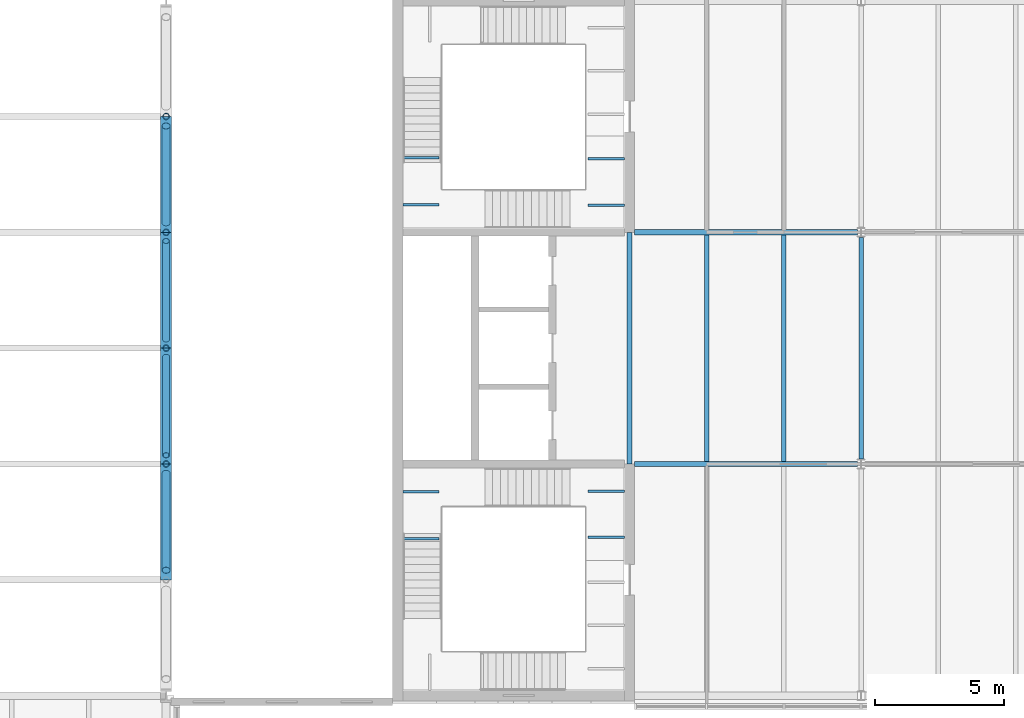
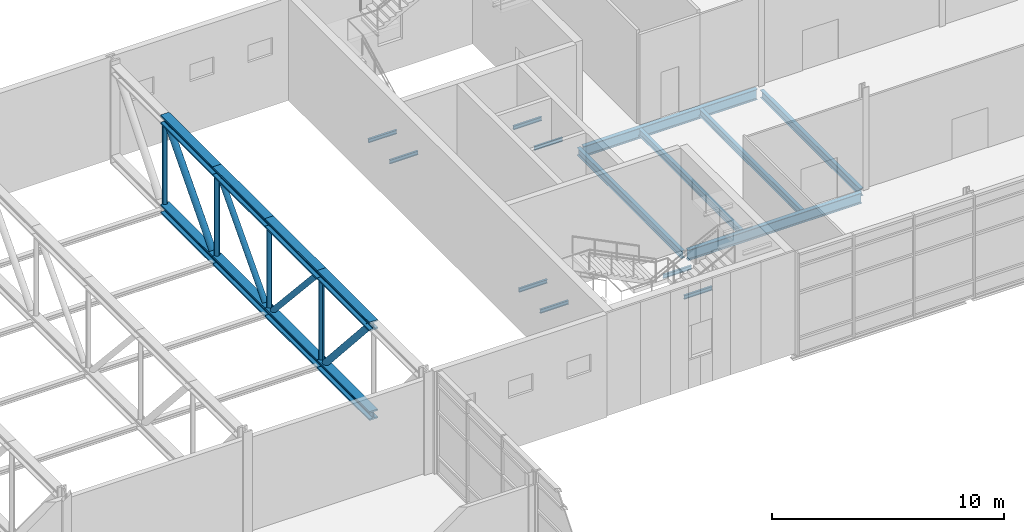
# One storey, part 23 of 53: 22 beams, 8 members.
"""IFC4 building model written with IfcOpenShell, lengths in metres."""

from ifc_helpers import new_model, si_unit, direction, frame, origin, origin_2d, place, context, subcontext, project, spatial, hollow_circle, i_section, extrude, material, material_profile, profile_set, type_object, element, save


model = new_model("IFC4")

# Units and contexts
model_context = context("Model", 3, precision=1e-05, world=origin(), true_north=direction((0.0, 1.0)))
body_context = subcontext(model_context, "Body", "Model", "MODEL_VIEW")
ifc_project = project(units=[si_unit("LENGTHUNIT", "METRE"), si_unit("AREAUNIT", "SQUARE_METRE"), si_unit("VOLUMEUNIT", "CUBIC_METRE"), si_unit("PLANEANGLEUNIT", "RADIAN"), si_unit("MASSUNIT", "GRAM", prefix="KILO")], contexts=[model_context])

# Site, building, storey
site_placement = place(None, origin())
site = spatial("IfcSite", under=ifc_project, at=site_placement, CompositionType="ELEMENT")
building_placement = place(site_placement, origin())
building = spatial("IfcBuilding", under=site, at=building_placement, Name="Azimuth Sports and Learning Centre", CompositionType="ELEMENT")
storey_placement = place(building_placement, frame((0.0, 0.0, 10.800048828125)))
storey = spatial("IfcBuildingStorey", under=building, at=storey_placement, Name="L02", CompositionType="ELEMENT", Elevation=10.800048828125)

# Beams
ifc_material_1 = material(Name="Steel S355", Category="steel")
ifc_material_profile_1 = material_profile(ifc_material_1, i_section(OverallWidth=0.10009765625, OverallDepth=0.199951171875, WebThickness=0.005615234375, FlangeThickness=0.008544921875, FilletRadius=0.011962890625, at=origin_2d()), Name="IPE 200")
ifc_profile_set_1 = profile_set([ifc_material_profile_1], Name="Steel S355")
beam_type_1 = type_object("IfcBeamType", Name="Beam IPE 200", PredefinedType="BEAM", material=ifc_profile_set_1)
for number, where, z_axis, x_axis, name in (
    (1, (116.800048828125, 96.1474609375, -0.300048828125), (-1.0, 0.0, 0.0), (0.0, -1.0, 0.0), "Landing bracket E1 L02 373"),
    (2, (116.800048828125, 97.9423828125, -0.300048828125), (-1.0, 0.0, 0.0), (0.0, -1.0, 0.0), "Landing bracket E1 L02 374"),
    (3, (108.199951171875, 96.1025390625, 1.5), (1.0, 0.0, 0.0), (0.0, 1.0, 0.0), "Landing bracket E1 L02 375"),
    (4, (108.199951171875, 97.927490234375, 1.5), (1.0, 0.0, 0.0), (0.0, 1.0, 0.0), "Landing bracket E1 L02 376"),
    (5, (116.800048828125, 109.0576171875, -0.300048828125), (-1.0, 0.0, 0.0), (0.0, -1.0, 0.0), "Landing bracket E2 L02 551"),
    (6, (116.800048828125, 110.8525390625, -0.300048828125), (-1.0, 0.0, 0.0), (0.0, -1.0, 0.0), "Landing bracket E2 L02 552"),
    (7, (108.199951171875, 109.072509765625, 1.5), (1.0, 0.0, 0.0), (0.0, 1.0, 0.0), "Landing bracket E2 L02 553"),
    (8, (108.199951171875, 110.8974609375, 1.5), (1.0, 0.0, 0.0), (0.0, 1.0, 0.0), "Landing bracket E2 L02 554"),
):
    element("IfcBeam", number, at=place(storey_placement, frame(where, z_axis=z_axis, x_axis=x_axis)), inside=storey, type_object=beam_type_1, Name=name, PredefinedType="BEAM", context=body_context, shape_type="SweptSolid", body=[
        extrude(i_section(OverallWidth=0.10009765625, OverallDepth=0.199951171875, WebThickness=0.005615234375, FlangeThickness=0.008544921875, FilletRadius=0.011962890625, at=origin_2d()), origin(), (0.0, 0.0, 1.0), 1.41015625),
    ])
ifc_material_2 = material(Name="Steel S355", Category="steel")
ifc_material_profile_2 = material_profile(ifc_material_2, i_section(OverallWidth=0.179931640625, OverallDepth=0.39990234375, WebThickness=0.008544921875, FlangeThickness=0.013427734375, FilletRadius=0.02099609375, at=origin_2d()), Name="IPE 400")
ifc_profile_set_2 = profile_set([ifc_material_profile_2], Name="Steel S355")
beam_type_2 = type_object("IfcBeamType", Name="Beam IPE 400", PredefinedType="BEAM", material=ifc_profile_set_2)
beam_1_placement = place(storey_placement, frame((117.0, 99.0, -0.35009765625), z_axis=(0.0, 1.0, 0.0), x_axis=(-1.0, 0.0, 0.0)))
element("IfcBeam", 9, at=beam_1_placement, inside=storey, type_object=beam_type_2, Name="Beam L02 WE 17", PredefinedType="BEAM", context=body_context, shape_type="SweptSolid", body=[
    extrude(i_section(OverallWidth=0.179931640625, OverallDepth=0.39990234375, WebThickness=0.008544921875, FlangeThickness=0.013427734375, FilletRadius=0.02099609375, at=origin_2d()), origin(), (0.0, 0.0, 1.0), 9.0),
])
beam_2_placement = place(storey_placement, frame((126.0, 99.199951171875, -0.35009765625), z_axis=(0.0, 1.0, 0.0), x_axis=(-1.0, 0.0, 0.0)))
element("IfcBeam", 10, at=beam_2_placement, inside=storey, type_object=beam_type_2, Name="Beam L02 WE 19", PredefinedType="BEAM", context=body_context, shape_type="SweptSolid", body=[
    extrude(i_section(OverallWidth=0.179931640625, OverallDepth=0.39990234375, WebThickness=0.008544921875, FlangeThickness=0.013427734375, FilletRadius=0.02099609375, at=origin_2d()), origin(), (0.0, 0.0, 1.0), 8.60009765625),
])
ifc_material_3 = material(Name="Steel S355", Category="steel")
ifc_material_profile_3 = material_profile(ifc_material_3, i_section(OverallWidth=0.2099609375, OverallDepth=0.550048828125, WebThickness=0.010986328125, FlangeThickness=0.01708984375, FilletRadius=0.02392578125, at=origin_2d()), Name="IPE 550")
ifc_profile_set_3 = profile_set([ifc_material_profile_3], Name="Steel S355")
beam_type_3 = type_object("IfcBeamType", Name="Beam IPE 550", PredefinedType="BEAM", material=ifc_profile_set_3)
for number, where, z_axis, x_axis, name in (
    (11, (117.199951171875, 99.0, -0.425048828125), (1.0, 0.0, 0.0), (0.0, 1.0, 0.0), "Beam L02 WE 5"),
    (12, (117.199951171875, 108.0, -0.425048828125), (1.0, 0.0, 0.0), (0.0, 1.0, 0.0), "Beam L02 WE 9"),
):
    element("IfcBeam", number, at=place(storey_placement, frame(where, z_axis=z_axis, x_axis=x_axis)), inside=storey, type_object=beam_type_3, Name=name, PredefinedType="BEAM", context=body_context, shape_type="SweptSolid", body=[
        extrude(i_section(OverallWidth=0.2099609375, OverallDepth=0.550048828125, WebThickness=0.010986328125, FlangeThickness=0.01708984375, FilletRadius=0.02392578125, at=origin_2d()), origin(), (0.0, 0.0, 1.0), 8.650146484375),
    ])
ifc_material_4 = material(Name="Steel S355", Category="steel")
ifc_material_profile_4 = material_profile(ifc_material_4, i_section(OverallWidth=0.169921875, OverallDepth=0.360107421875, WebThickness=0.008056640625, FlangeThickness=0.0126953125, FilletRadius=0.01806640625, at=origin_2d()), Name="IPE 360")
ifc_profile_set_4 = profile_set([ifc_material_profile_4], Name="Steel S355")
beam_type_4 = type_object("IfcBeamType", Name="Joist IPE 360", PredefinedType="JOIST", material=ifc_profile_set_4)
for number, where, z_axis, x_axis, name in (
    (13, (120.0, 99.10498046875, -0.330078125), (0.0, 1.0, 0.0), (-1.0, 0.0, 0.0), "Joist L02 WE 28"),
    (14, (123.0, 99.10498046875, -0.330078125), (0.0, 1.0, 0.0), (-1.0, 0.0, 0.0), "Joist L02 WE 31"),
):
    element("IfcBeam", number, at=place(storey_placement, frame(where, z_axis=z_axis, x_axis=x_axis)), inside=storey, type_object=beam_type_4, Name=name, PredefinedType="JOIST", context=body_context, shape_type="SweptSolid", body=[
        extrude(i_section(OverallWidth=0.169921875, OverallDepth=0.360107421875, WebThickness=0.008056640625, FlangeThickness=0.0126953125, FilletRadius=0.01806640625, at=origin_2d()), origin(), (0.0, 0.0, 1.0), 8.7900390625),
    ])
ifc_material_5 = material(Name="Steel S460", Category="steel")
ifc_material_profile_5 = material_profile(ifc_material_5, i_section(OverallWidth=0.424072265625, OverallDepth=0.47412109375, WebThickness=0.047607421875, FlangeThickness=0.0771484375, FilletRadius=0.014892578125, at=origin_2d()), Name="HD 400x634")
ifc_profile_set_5 = profile_set([ifc_material_profile_5], Name="Steel S460")
beam_type_5 = type_object("IfcBeamType", Name="Truss chord HD 400x634", PredefinedType="USERDEFINED", material=ifc_profile_set_5)
for number, where, z_axis, x_axis, name in (
    (15, (99.0, 94.5, 4.94287109375), (0.0, 1.0, 0.0), (-1.0, 0.0, 0.0), "Floor truss FT-4 top chord 2"),
    (16, (99.0, 94.5, 0.237060546875), (0.0, 1.0, 0.0), (-1.0, 0.0, 0.0), "Floor truss FT-4 bottom chord 2"),
    (17, (99.0, 108.0, 4.94287109375), (0.0, 1.0, 0.0), (-1.0, 0.0, 0.0), "Floor truss FT-4 top chord 5"),
    (18, (99.0, 108.0, 0.237060546875), (0.0, 1.0, 0.0), (-1.0, 0.0, 0.0), "Floor truss FT-4 bottom chord 5"),
):
    element("IfcBeam", number, at=place(storey_placement, frame(where, z_axis=z_axis, x_axis=x_axis)), inside=storey, type_object=beam_type_5, Name=name, ObjectType="TRUSS CHORD", PredefinedType="USERDEFINED", context=body_context, shape_type="SweptSolid", body=[
        extrude(i_section(OverallWidth=0.424072265625, OverallDepth=0.47412109375, WebThickness=0.047607421875, FlangeThickness=0.0771484375, FilletRadius=0.014892578125, at=origin_2d()), origin(), (0.0, 0.0, 1.0), 4.5),
    ])
ifc_material_6 = material(Name="Steel S460", Category="steel")
ifc_material_profile_6 = material_profile(ifc_material_6, i_section(OverallWidth=0.427978515625, OverallDepth=0.48291015625, WebThickness=0.05126953125, FlangeThickness=0.08154296875, FilletRadius=0.014892578125, at=origin_2d()), Name="HD 400x677")
ifc_profile_set_6 = profile_set([ifc_material_profile_6], Name="Steel S460")
beam_type_6 = type_object("IfcBeamType", Name="Truss chord HD 400x677", PredefinedType="USERDEFINED", material=ifc_profile_set_6)
for number, where, z_axis, x_axis, name in (
    (19, (99.0, 99.0, 4.9384765625), (0.0, 1.0, 0.0), (-1.0, 0.0, 0.0), "Floor truss FT-4 top chord 3"),
    (20, (99.0, 99.0, 0.241455078125), (0.0, 1.0, 0.0), (-1.0, 0.0, 0.0), "Floor truss FT-4 bottom chord 3"),
    (21, (99.0, 103.5, 4.9384765625), (0.0, 1.0, 0.0), (-1.0, 0.0, 0.0), "Floor truss FT-4 top chord 4"),
    (22, (99.0, 103.5, 0.241455078125), (0.0, 1.0, 0.0), (-1.0, 0.0, 0.0), "Floor truss FT-4 bottom chord 4"),
):
    element("IfcBeam", number, at=place(storey_placement, frame(where, z_axis=z_axis, x_axis=x_axis)), inside=storey, type_object=beam_type_6, Name=name, ObjectType="TRUSS CHORD", PredefinedType="USERDEFINED", context=body_context, shape_type="SweptSolid", body=[
        extrude(i_section(OverallWidth=0.427978515625, OverallDepth=0.48291015625, WebThickness=0.05126953125, FlangeThickness=0.08154296875, FilletRadius=0.014892578125, at=origin_2d()), origin(), (0.0, 0.0, 1.0), 4.5),
    ])

# Members
ifc_material_7 = material(Name="Steel S355", Category="steel")
ifc_material_profile_7 = material_profile(ifc_material_7, hollow_circle(Radius=0.136474609375, WallThickness=0.012451171875, at=origin_2d()), Name="CHS 273x12.5")
ifc_profile_set_7 = profile_set([ifc_material_profile_7], Name="Steel S355")
member_type_1 = type_object("IfcMemberType", Name="Truss diagonal CHS 273x12.5", PredefinedType="BRACE", material=ifc_profile_set_7)
for number, where, z_axis, x_axis, name in (
    (23, (99.0, 99.339111328125, 4.697021484375), (0.0, 0.67178372618, -0.740747342378), (-1.0, 0.0, 0.0), "Floor truss FT-4 diagonal 3"),
    (24, (99.0, 107.660888671875, 4.697021484375), (0.0, -0.67178372618, -0.740747342378), (1.0, 0.0, 0.0), "Floor truss FT-4 diagonal 4"),
):
    element("IfcMember", number, at=place(storey_placement, frame(where, z_axis=z_axis, x_axis=x_axis)), inside=storey, type_object=member_type_1, Name=name, PredefinedType="BRACE", context=body_context, shape_type="SweptSolid", body=[
        extrude(hollow_circle(Radius=0.136474609375, WallThickness=0.012451171875, at=origin_2d()), origin(), (0.0, 0.0, 1.0), 5.68896484375),
    ])
ifc_material_8 = material(Name="Steel S355", Category="steel")
ifc_material_profile_8 = material_profile(ifc_material_8, hollow_circle(Radius=0.161865234375, WallThickness=0.012451171875, at=origin_2d()), Name="CHS 323.9x12.5")
ifc_profile_set_8 = profile_set([ifc_material_profile_8], Name="Steel S355")
member_type_2 = type_object("IfcMemberType", Name="Truss diagonal CHS 323.9x12.5", PredefinedType="BRACE", material=ifc_profile_set_8)
for number, where, z_axis, x_axis, name in (
    (25, (99.0, 94.87060546875, 4.7060546875), (0.0, 0.664053234374, -0.747685296042), (-1.0, 0.0, 0.0), "Floor truss FT-4 diagonal 2"),
    (26, (99.0, 112.12939453125, 4.7060546875), (0.0, -0.664053234374, -0.747685296042), (1.0, 0.0, 0.0), "Floor truss FT-4 diagonal 5"),
):
    element("IfcMember", number, at=place(storey_placement, frame(where, z_axis=z_axis, x_axis=x_axis)), inside=storey, type_object=member_type_2, Name=name, PredefinedType="BRACE", context=body_context, shape_type="SweptSolid", body=[
        extrude(hollow_circle(Radius=0.161865234375, WallThickness=0.012451171875, at=origin_2d()), origin(), (0.0, 0.0, 1.0), 5.660400390625),
    ])
ifc_material_9 = material(Name="Steel S355", Category="steel")
ifc_material_profile_9 = material_profile(ifc_material_9, hollow_circle(Radius=0.122314453125, WallThickness=0.012451171875, at=origin_2d()), Name="CHS 244.5x12.5")
ifc_profile_set_9 = profile_set([ifc_material_profile_9], Name="Steel S355")
member_type_3 = type_object("IfcMemberType", Name="Truss post CHS 244.5x12.5", PredefinedType="POST", material=ifc_profile_set_9)
member_1_placement = place(storey_placement, frame((99.0, 99.0, 0.473876953125), z_axis=(0.0, 0.0, 1.0), x_axis=(1.0, 0.0, 0.0)))
element("IfcMember", 27, at=member_1_placement, inside=storey, type_object=member_type_3, Name="Floor truss FT-4 post 2", PredefinedType="POST", context=body_context, shape_type="SweptSolid", body=[
    extrude(hollow_circle(Radius=0.122314453125, WallThickness=0.012451171875, at=origin_2d()), origin(), (0.0, 0.0, 1.0), 4.232177734375),
])
member_2_placement = place(storey_placement, frame((99.0, 103.5, 0.48291015625), z_axis=(0.0, 0.0, 1.0), x_axis=(1.0, 0.0, 0.0)))
element("IfcMember", 28, at=member_2_placement, inside=storey, type_object=member_type_3, Name="Floor truss FT-4 post 3", PredefinedType="POST", context=body_context, shape_type="SweptSolid", body=[
    extrude(hollow_circle(Radius=0.122314453125, WallThickness=0.012451171875, at=origin_2d()), origin(), (0.0, 0.0, 1.0), 4.214111328125),
])
member_3_placement = place(storey_placement, frame((99.0, 108.0, 0.473876953125), z_axis=(0.0, 0.0, 1.0), x_axis=(1.0, 0.0, 0.0)))
element("IfcMember", 29, at=member_3_placement, inside=storey, type_object=member_type_3, Name="Floor truss FT-4 post 4", PredefinedType="POST", context=body_context, shape_type="SweptSolid", body=[
    extrude(hollow_circle(Radius=0.122314453125, WallThickness=0.012451171875, at=origin_2d()), origin(), (0.0, 0.0, 1.0), 4.232177734375),
])
member_4_placement = place(storey_placement, frame((99.0, 112.5, 0.454833984375), z_axis=(0.0, 0.0, 1.0), x_axis=(1.0, 0.0, 0.0)))
element("IfcMember", 30, at=member_4_placement, inside=storey, type_object=member_type_3, Name="Floor truss FT-4 post 5", PredefinedType="POST", context=body_context, shape_type="SweptSolid", body=[
    extrude(hollow_circle(Radius=0.122314453125, WallThickness=0.012451171875, at=origin_2d()), origin(), (0.0, 0.0, 1.0), 4.27001953125),
])

save(model, "model.ifc")
